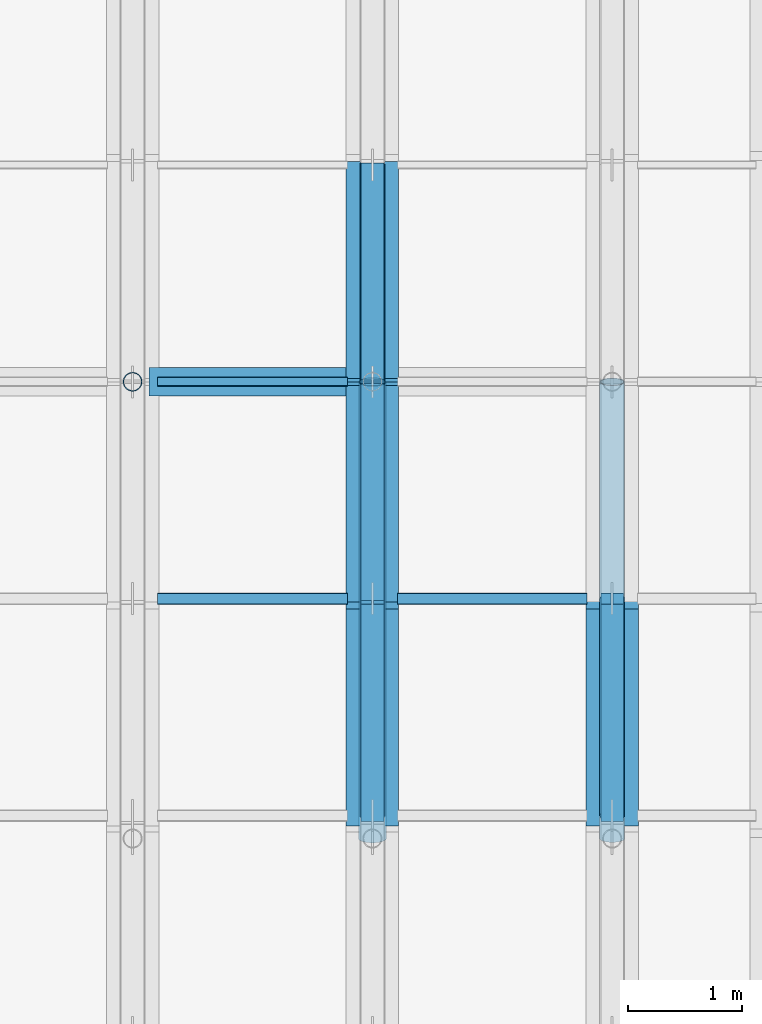
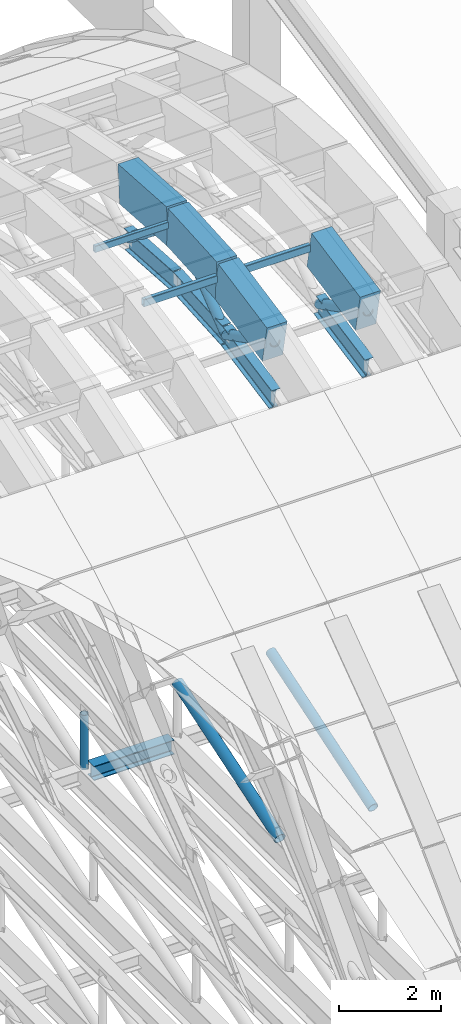
# One storey, part 38 of 67: 10 members, 9 beams.
"""IFC4 building model written with IfcOpenShell, lengths in metres."""

from ifc_helpers import new_model, si_unit, direction, frame, origin, origin_2d, place, context, subcontext, project, spatial, rectangle, hollow_rectangle, hollow_circle, i_section, extrude, material, material_profile, profile_set, type_object, element, save


model = new_model("IFC4")

# Units and contexts
model_context = context("Model", 3, precision=1e-05, world=origin(), true_north=direction((0.0, 1.0)))
body_context = subcontext(model_context, "Body", "Model", "MODEL_VIEW")
ifc_project = project(units=[si_unit("LENGTHUNIT", "METRE"), si_unit("AREAUNIT", "SQUARE_METRE"), si_unit("VOLUMEUNIT", "CUBIC_METRE"), si_unit("PLANEANGLEUNIT", "RADIAN"), si_unit("MASSUNIT", "GRAM", prefix="KILO")], contexts=[model_context])

# Site, building, storey
site_placement = place(None, origin())
site = spatial("IfcSite", under=ifc_project, at=site_placement, CompositionType="ELEMENT")
building_placement = place(site_placement, origin())
building = spatial("IfcBuilding", under=site, at=building_placement, Name="Shengluoqiao Park Theatre", CompositionType="ELEMENT")
storey_placement = place(building_placement, frame((0.0, 0.0, 28.60009765625)))
storey = spatial("IfcBuildingStorey", under=building, at=storey_placement, Name="Roof", CompositionType="ELEMENT", Elevation=28.60009765625)

# Beams
ifc_material_1 = material(Name="Concrete C50", Category="concrete")
ifc_material_profile_1 = material_profile(ifc_material_1, rectangle(XDim=0.4599609375, YDim=0.919921875, at=origin_2d()), Name="RC ARCH 460x920")
ifc_profile_set_1 = profile_set([ifc_material_profile_1], Name="Concrete C50")
beam_type_1 = type_object("IfcBeamType", Name="STR-BM-AR-4609", PredefinedType="BEAM", material=ifc_profile_set_1)
beam_1_placement = place(storey_placement, frame((82.199951171875, 91.199951171875, 2.075927734375), z_axis=(0.0, 0.980788534345, 0.195073962632), x_axis=(-1.0, 0.0, 0.0)))
element("IfcBeam", 1, at=beam_1_placement, inside=storey, type_object=beam_type_1, Name="Barrel-Shell Arch Rib R19-S09", PredefinedType="BEAM", context=body_context, shape_type="SweptSolid", body=[
    extrude(rectangle(XDim=0.4599609375, YDim=0.919921875, at=origin_2d()), origin(), (0.0, 0.0, 1.0), 1.937255859375),
])
for number, where, z_axis, x_axis, name in (
    (2, (82.199951171875, 93.10009765625, 2.453857421875), (0.0, 0.997808922354, 0.066161578506), (-1.0, 0.0, 0.0), "Barrel-Shell Arch Rib R19-S10"),
    (3, (82.199951171875, 95.0, 2.579833984375), (0.0, 0.997808922354, -0.066161578506), (-1.0, 0.0, 0.0), "Barrel-Shell Arch Rib R19-S11"),
):
    element("IfcBeam", number, at=place(storey_placement, frame(where, z_axis=z_axis, x_axis=x_axis)), inside=storey, type_object=beam_type_1, Name=name, PredefinedType="BEAM", context=body_context, shape_type="SweptSolid", body=[
        extrude(rectangle(XDim=0.4599609375, YDim=0.919921875, at=origin_2d()), origin(), (0.0, 0.0, 1.0), 1.904052734375),
    ])
beam_2_placement = place(storey_placement, frame((84.300048828125, 91.199951171875, 2.075927734375), z_axis=(0.0, 0.980788534345, 0.195073962632), x_axis=(-1.0, 0.0, 0.0)))
element("IfcBeam", 4, at=beam_2_placement, inside=storey, type_object=beam_type_1, Name="Barrel-Shell Arch Rib R20-S09", PredefinedType="BEAM", context=body_context, shape_type="SweptSolid", body=[
    extrude(rectangle(XDim=0.4599609375, YDim=0.919921875, at=origin_2d()), origin(), (0.0, 0.0, 1.0), 1.937255859375),
])
ifc_material_2 = material(Name="Steel Q355", Category="steel")
ifc_material_profile_2 = material_profile(ifc_material_2, i_section(OverallWidth=0.25, OverallDepth=0.340087890625, WebThickness=0.009033203125, FlangeThickness=0.013916015625, FilletRadius=0.01611328125, at=origin_2d()), Name="HM 340x250x9x14")
ifc_profile_set_2 = profile_set([ifc_material_profile_2], Name="Steel Q355")
beam_type_2 = type_object("IfcBeamType", Name="STR-BM-G-HM340", PredefinedType="BEAM", material=ifc_profile_set_2)
beam_3_placement = place(storey_placement, frame((80.243896484375, 95.0, -9.77001953125), z_axis=(1.0, 0.0, 0.0), x_axis=(0.0, 1.0, 0.0)))
element("IfcBeam", 5, at=beam_3_placement, inside=storey, type_object=beam_type_2, Name="Auditorium Overhead Catwalk Girder R18-3", PredefinedType="BEAM", context=body_context, shape_type="SweptSolid", body=[
    extrude(i_section(OverallWidth=0.25, OverallDepth=0.340087890625, WebThickness=0.009033203125, FlangeThickness=0.013916015625, FilletRadius=0.01611328125, at=origin_2d()), origin(), (0.0, 0.0, 1.0), 1.81201171875),
])
ifc_material_profile_3 = material_profile(ifc_material_2, i_section(OverallWidth=0.199951171875, OverallDepth=0.5, WebThickness=0.010009765625, FlangeThickness=0.01611328125, FilletRadius=0.01806640625, at=origin_2d()), Name="HN 500x200x10x16")
ifc_profile_set_3 = profile_set([ifc_material_profile_3], Name="Steel Q355")
beam_type_3 = type_object("IfcBeamType", Name="STR-BM-J-HN500", PredefinedType="JOIST", material=ifc_profile_set_3)
beam_4_placement = place(storey_placement, frame((82.199951171875, 91.199951171875, 0.7158203125), z_axis=(0.0, 0.980764417124, 0.19519517951), x_axis=(-1.0, 0.0, 0.0)))
element("IfcBeam", 6, at=beam_4_placement, inside=storey, type_object=beam_type_3, Name="Barrel-Shell Lower Arch Chord R19-S09", PredefinedType="JOIST", context=body_context, shape_type="SweptSolid", body=[
    extrude(i_section(OverallWidth=0.199951171875, OverallDepth=0.5, WebThickness=0.010009765625, FlangeThickness=0.01611328125, FilletRadius=0.01806640625, at=origin_2d()), origin(), (0.0, 0.0, 1.0), 1.9375),
])
for number, where, z_axis, x_axis, name in (
    (7, (82.199951171875, 93.10009765625, 1.093994140625), (0.0, 0.997808922354, 0.066161578506), (-1.0, 0.0, 0.0), "Barrel-Shell Lower Arch Chord R19-S10"),
    (8, (82.199951171875, 95.0, 1.219970703125), (0.0, 0.997808922354, -0.066161578506), (-1.0, 0.0, 0.0), "Barrel-Shell Lower Arch Chord R19-S11"),
):
    element("IfcBeam", number, at=place(storey_placement, frame(where, z_axis=z_axis, x_axis=x_axis)), inside=storey, type_object=beam_type_3, Name=name, PredefinedType="JOIST", context=body_context, shape_type="SweptSolid", body=[
        extrude(i_section(OverallWidth=0.199951171875, OverallDepth=0.5, WebThickness=0.010009765625, FlangeThickness=0.01611328125, FilletRadius=0.01806640625, at=origin_2d()), origin(), (0.0, 0.0, 1.0), 1.904052734375),
    ])
beam_5_placement = place(storey_placement, frame((84.300048828125, 91.199951171875, 0.7158203125), z_axis=(0.0, 0.980764417124, 0.19519517951), x_axis=(-1.0, 0.0, 0.0)))
element("IfcBeam", 9, at=beam_5_placement, inside=storey, type_object=beam_type_3, Name="Barrel-Shell Lower Arch Chord R20-S09", PredefinedType="JOIST", context=body_context, shape_type="SweptSolid", body=[
    extrude(i_section(OverallWidth=0.199951171875, OverallDepth=0.5, WebThickness=0.010009765625, FlangeThickness=0.01611328125, FilletRadius=0.01806640625, at=origin_2d()), origin(), (0.0, 0.0, 1.0), 1.9375),
])

# Members
ifc_material_profile_4 = material_profile(ifc_material_2, hollow_circle(Radius=0.109619140625, WallThickness=0.010009765625, at=origin_2d()), Name="CHS 219x10")
ifc_profile_set_4 = profile_set([ifc_material_profile_4], Name="Steel Q355")
member_type_1 = type_object("IfcMemberType", Name="STR-MEM-BRC-219", PredefinedType="BRACE", material=ifc_profile_set_4)
member_1_placement = place(storey_placement, frame((82.199951171875, 91.199951171875, 2.075927734375), z_axis=(0.0, 0.888389440766, -0.459090624535), x_axis=(-1.0, 0.0, 0.0)))
element("IfcMember", 10, at=member_1_placement, inside=storey, type_object=member_type_1, Name="Barrel-Shell Arch Truss Web 0369", PredefinedType="BRACE", context=body_context, shape_type="SweptSolid", body=[
    extrude(hollow_circle(Radius=0.109619140625, WallThickness=0.010009765625, at=origin_2d()), origin(), (0.0, 0.0, 1.0), 2.138916015625),
])
for number, where, z_axis, x_axis, name in (
    (11, (82.199951171875, 93.10009765625, 1.093994140625), (0.0, 0.787714283449, 0.616040751615), (-1.0, 0.0, 0.0), "Barrel-Shell Arch Truss Web 0370"),
    (12, (82.199951171875, 95.0, 2.579833984375), (0.0, 0.787714283449, -0.616040751615), (-1.0, 0.0, 0.0), "Barrel-Shell Arch Truss Web 0371"),
):
    element("IfcMember", number, at=place(storey_placement, frame(where, z_axis=z_axis, x_axis=x_axis)), inside=storey, type_object=member_type_1, Name=name, PredefinedType="BRACE", context=body_context, shape_type="SweptSolid", body=[
        extrude(hollow_circle(Radius=0.109619140625, WallThickness=0.010009765625, at=origin_2d()), origin(), (0.0, 0.0, 1.0), 2.411865234375),
    ])
member_2_placement = place(storey_placement, frame((84.300048828125, 91.199951171875, 2.075927734375), z_axis=(0.0, 0.888389440766, -0.459090624535), x_axis=(-1.0, 0.0, 0.0)))
element("IfcMember", 13, at=member_2_placement, inside=storey, type_object=member_type_1, Name="Barrel-Shell Arch Truss Web 0389", PredefinedType="BRACE", context=body_context, shape_type="SweptSolid", body=[
    extrude(hollow_circle(Radius=0.109619140625, WallThickness=0.010009765625, at=origin_2d()), origin(), (0.0, 0.0, 1.0), 2.138916015625),
])
member_3_placement = place(storey_placement, frame((84.300048828125, 91.0, -9.650146484375), z_axis=(0.0, 0.951030656115, 0.309096572498), x_axis=(-1.0, 0.0, 0.0)))
element("IfcMember", 14, at=member_3_placement, inside=storey, type_object=member_type_1, Name="Acoustic Tie Truss Diagonal 0183", PredefinedType="BRACE", context=body_context, shape_type="SweptSolid", body=[
    extrude(hollow_circle(Radius=0.109619140625, WallThickness=0.010009765625, at=origin_2d()), origin(), (0.0, 0.0, 1.0), 4.2060546875),
])
ifc_material_profile_5 = material_profile(ifc_material_2, hollow_circle(Radius=0.12255859375, WallThickness=0.010009765625, at=origin_2d()), Name="CHS 245x10")
ifc_profile_set_5 = profile_set([ifc_material_profile_5], Name="Steel Q355")
member_type_2 = type_object("IfcMemberType", Name="STR-MEM-BRC-245", PredefinedType="BRACE", material=ifc_profile_set_5)
member_4_placement = place(storey_placement, frame((82.199951171875, 91.0, -9.650146484375), z_axis=(0.0, 0.951030656115, 0.309096572498), x_axis=(-1.0, 0.0, 0.0)))
element("IfcMember", 15, at=member_4_placement, inside=storey, type_object=member_type_2, Name="Acoustic Tie Truss Diagonal 0166", PredefinedType="BRACE", context=body_context, shape_type="SweptSolid", body=[
    extrude(hollow_circle(Radius=0.12255859375, WallThickness=0.010009765625, at=origin_2d()), origin(), (0.0, 0.0, 1.0), 4.2060546875),
])
ifc_material_profile_6 = material_profile(ifc_material_2, hollow_rectangle(XDim=0.080078125, YDim=0.159912109375, WallThickness=0.006103515625, InnerFilletRadius=0.006103515625, OuterFilletRadius=0.011962890625, at=origin_2d()), Name="RHS 160x80x6")
ifc_profile_set_6 = profile_set([ifc_material_profile_6], Name="Steel Q355")
member_type_3 = type_object("IfcMemberType", Name="STR-MEM-PU-R160", PredefinedType="PURLIN", material=ifc_profile_set_6)
member_5_placement = place(storey_placement, frame((80.320068359375, 95.0, 2.639892578125), z_axis=(1.0, 0.0, 0.0), x_axis=(0.0, 1.0, 0.0)))
element("IfcMember", 16, at=member_5_placement, inside=storey, type_object=member_type_3, Name="Shell Longitudinal Purlin 0333", PredefinedType="PURLIN", context=body_context, shape_type="SweptSolid", body=[
    extrude(hollow_rectangle(XDim=0.080078125, YDim=0.159912109375, WallThickness=0.006103515625, InnerFilletRadius=0.006103515625, OuterFilletRadius=0.011962890625, at=origin_2d()), origin(), (0.0, 0.0, 1.0), 1.659912109375),
])
ifc_material_profile_7 = material_profile(ifc_material_2, hollow_rectangle(XDim=0.10009765625, YDim=0.179931640625, WallThickness=0.008056640625, InnerFilletRadius=0.008056640625, OuterFilletRadius=0.01611328125, at=origin_2d()), Name="RHS 180x100x8")
ifc_profile_set_7 = profile_set([ifc_material_profile_7], Name="Steel Q355")
member_type_4 = type_object("IfcMemberType", Name="STR-MEM-PU-R180", PredefinedType="PURLIN", material=ifc_profile_set_7)
member_6_placement = place(storey_placement, frame((80.320068359375, 93.10009765625, 2.513916015625), z_axis=(1.0, 0.0, 0.0), x_axis=(0.0, 1.0, 0.0)))
element("IfcMember", 17, at=member_6_placement, inside=storey, type_object=member_type_4, Name="Shell Longitudinal Purlin 0332", PredefinedType="PURLIN", context=body_context, shape_type="SweptSolid", body=[
    extrude(hollow_rectangle(XDim=0.10009765625, YDim=0.179931640625, WallThickness=0.008056640625, InnerFilletRadius=0.008056640625, OuterFilletRadius=0.01611328125, at=origin_2d()), origin(), (0.0, 0.0, 1.0), 1.659912109375),
])
member_7_placement = place(storey_placement, frame((82.419921875, 93.10009765625, 2.513916015625), z_axis=(1.0, 0.0, 0.0), x_axis=(0.0, 1.0, 0.0)))
element("IfcMember", 18, at=member_7_placement, inside=storey, type_object=member_type_4, Name="Shell Longitudinal Purlin 0351", PredefinedType="PURLIN", context=body_context, shape_type="SweptSolid", body=[
    extrude(hollow_rectangle(XDim=0.10009765625, YDim=0.179931640625, WallThickness=0.008056640625, InnerFilletRadius=0.008056640625, OuterFilletRadius=0.01611328125, at=origin_2d()), origin(), (0.0, 0.0, 1.0), 1.66015625),
])
ifc_material_profile_8 = material_profile(ifc_material_2, hollow_circle(Radius=0.083984375, WallThickness=0.008056640625, at=origin_2d()), Name="CHS 168x8")
ifc_profile_set_8 = profile_set([ifc_material_profile_8], Name="Steel Q355")
member_type_5 = type_object("IfcMemberType", Name="STR-MEM-STC-168", PredefinedType="STRUT", material=ifc_profile_set_8)
member_8_placement = place(storey_placement, frame((80.10009765625, 95.0, -9.650146484375), z_axis=(0.0, 0.0, 1.0), x_axis=(1.0, 0.0, 0.0)))
element("IfcMember", 19, at=member_8_placement, inside=storey, type_object=member_type_5, Name="Acoustic Tie Truss Strut 0141", PredefinedType="STRUT", context=body_context, shape_type="SweptSolid", body=[
    extrude(hollow_circle(Radius=0.083984375, WallThickness=0.008056640625, at=origin_2d()), origin(), (0.0, 0.0, 1.0), 1.300048828125),
])

save(model, "model.ifc")
